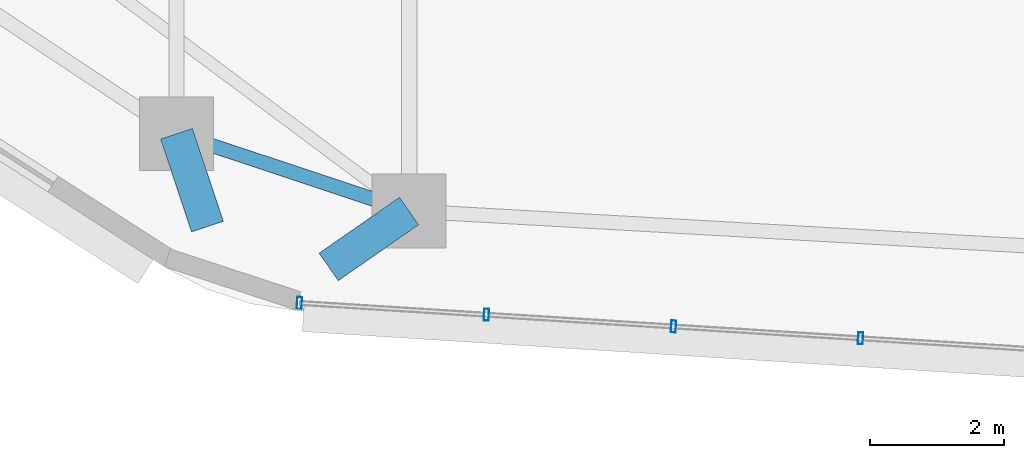
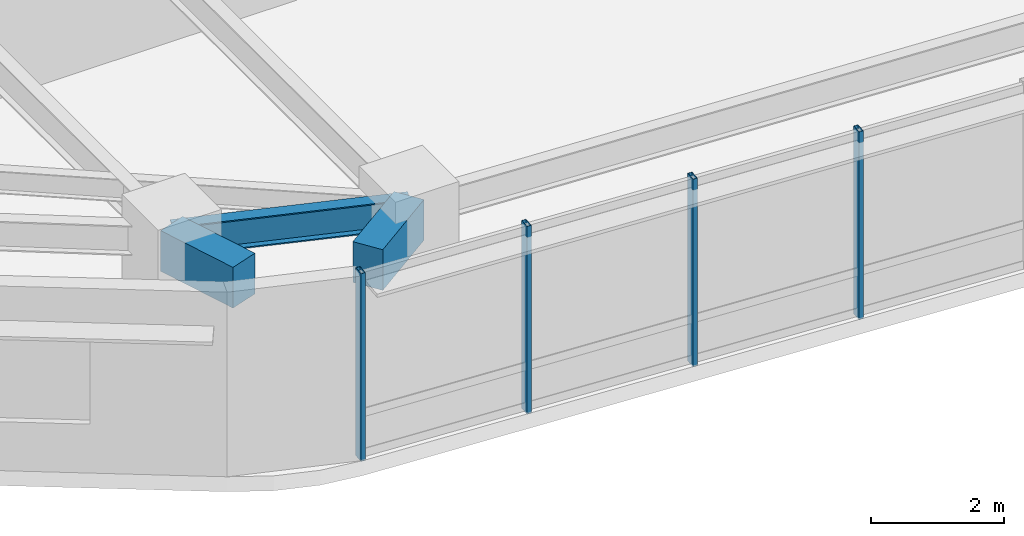
# One storey, part 2 of 12: 4 members, 3 beams, 1 element without a shape of its own.
"""IFC4 building model written with IfcOpenShell, lengths in metres."""

import ifcopenshell
import ifcopenshell.guid

model = None  # the IFC model being written
_history = None  # IfcOwnerHistory: only IFC2X3 demands one
_inside = {}  # id of a spatial element -> (the spatial element, [elements in it])
_under = {}  # id of a project, library or spatial element -> (it, [spatial elements below it])
_declared = {}  # id of a project -> (the project, [libraries it declares])
_typed = {}  # id of a type object -> (the type object, [elements of that type])
_made_of = {}  # id of a material, layer set ... -> (it, [elements and type objects made of it])


def new_model(schema):
    """Start an empty IFC model of exactly this schema.

    Asked for "IFC4X3", IfcOpenShell would pick the latest addendum, in which some entities
    have other attributes; the version numbers below select the first issue.
    IFC2X3 requires an IfcOwnerHistory on every rooted entity: one is made here for all.
    """
    global model, _history
    if schema == "IFC4X3":
        model = ifcopenshell.file(schema_version=(4, 3, 0, 0))
    else:
        model = ifcopenshell.file(schema=schema)
    _inside.clear()
    _under.clear()
    _declared.clear()
    _typed.clear()
    _made_of.clear()
    _history = None
    if model.schema == "IFC2X3":
        org = make("IfcOrganization", Name="unknown")
        user = make(
            "IfcPersonAndOrganization",
            ThePerson=make("IfcPerson", FamilyName="unknown"),
            TheOrganization=org,
        )
        app = make(
            "IfcApplication",
            ApplicationDeveloper=org,
            Version="unknown",
            ApplicationFullName="unknown",
            ApplicationIdentifier="unknown",
        )
        _history = make(
            "IfcOwnerHistory",
            OwningUser=user,
            OwningApplication=app,
            ChangeAction="ADDED",
            CreationDate=0,
        )
    return model


def make(cls, **values):
    """One entity of the class cls with the attributes given. An attribute that is None is left unset."""
    return model.create_entity(
        cls, **{name: value for name, value in values.items() if value is not None}
    )


def rooted(cls, **values):
    """An entity with a GlobalId (a new one), such as an element, a storey or a relation."""
    return make(cls, GlobalId=ifcopenshell.guid.new(), OwnerHistory=_history, **values)


def si_unit(unit_type, name, prefix=None):
    """IfcSIUnit, for example si_unit("LENGTHUNIT", "METRE", prefix="MILLI")."""
    return make("IfcSIUnit", UnitType=unit_type, Prefix=prefix, Name=name)


def assignment(units):
    """IfcUnitAssignment: the units of a project."""
    return None if units is None else make("IfcUnitAssignment", Units=units)


def point(xyz):
    """IfcCartesianPoint."""
    return None if xyz is None else make("IfcCartesianPoint", Coordinates=xyz)


def direction(xyz):
    """IfcDirection."""
    return None if xyz is None else make("IfcDirection", DirectionRatios=xyz)


def frame(location, z_axis=None, x_axis=None):
    """IfcAxis2Placement3D, a coordinate frame: its origin and axes. An axis left out is left unset."""
    return make(
        "IfcAxis2Placement3D",
        Location=point(location),
        Axis=direction(z_axis),
        RefDirection=direction(x_axis),
    )


def frame_2d(location, x_axis=None):
    """IfcAxis2Placement2D, a coordinate frame in the plane: its origin and x axis."""
    return make(
        "IfcAxis2Placement2D", Location=point(location), RefDirection=direction(x_axis)
    )


def origin():
    """The frame at (0, 0, 0) with its axes left unset."""
    return frame((0.0, 0.0, 0.0))


def origin_2d():
    """The frame at (0, 0) in the plane with its x axis left unset."""
    return frame_2d((0.0, 0.0))


def place(relative_to, where):
    """IfcLocalPlacement: puts the frame where relative to a parent placement (None: the world)."""
    return make(
        "IfcLocalPlacement", PlacementRelTo=relative_to, RelativePlacement=where
    )


def context(
    kind, dimensions, precision=None, world=None, true_north=None, identifier=None
):
    """IfcGeometricRepresentationContext, for example the 3D "Model" context."""
    return make(
        "IfcGeometricRepresentationContext",
        ContextIdentifier=identifier,
        ContextType=kind,
        CoordinateSpaceDimension=dimensions,
        Precision=precision,
        WorldCoordinateSystem=world,
        TrueNorth=true_north,
    )


def subcontext(parent, identifier, kind, view, scale=None):
    """IfcGeometricRepresentationSubContext, for example "Body" below "Model"."""
    return make(
        "IfcGeometricRepresentationSubContext",
        ContextIdentifier=identifier,
        ContextType=kind,
        ParentContext=parent,
        TargetScale=scale,
        TargetView=view,
    )


def project(units=None, contexts=None):
    """IfcProject with its units and contexts."""
    return rooted(
        "IfcProject",
        Name="project",
        RepresentationContexts=contexts,
        UnitsInContext=assignment(units),
    )


def spatial(cls, under=None, at=None, **own):
    """A site, building, storey or space (cls), placed at a placement, below another one or the project."""
    s = rooted(cls, ObjectPlacement=at, **own)
    if under is not None:
        _under.setdefault(under.id(), (under, []))[1].append(s)
    return s


def profile(cls, at=None, kind="AREA", **sizes):
    """A parametric profile (cls). Its sizes go by their IFC names, for example OverallWidth=200.0."""
    return make(cls, ProfileType=kind, Position=at, **sizes)


def rectangle(**sizes):
    """IfcRectangleProfileDef."""
    return profile("IfcRectangleProfileDef", **sizes)


def hollow_rectangle(**sizes):
    """IfcRectangleHollowProfileDef."""
    return profile("IfcRectangleHollowProfileDef", **sizes)


def i_section(**sizes):
    """IfcIShapeProfileDef."""
    return profile("IfcIShapeProfileDef", **sizes)


def extrude(swept, where, along, depth):
    """IfcExtrudedAreaSolid: the profile swept, set in the frame where, extruded along a direction by depth."""
    return make(
        "IfcExtrudedAreaSolid",
        SweptArea=swept,
        Position=where,
        ExtrudedDirection=direction(along),
        Depth=depth,
    )


def shape(context_of_items, identifier, shape_type, items):
    """IfcShapeRepresentation: the items that make up one representation, for example the "Body"."""
    return make(
        "IfcShapeRepresentation",
        ContextOfItems=context_of_items,
        RepresentationIdentifier=identifier,
        RepresentationType=shape_type,
        Items=items,
    )


def material(Name=None, Category=None):
    """IfcMaterial."""
    return make("IfcMaterial", Name=Name, Category=Category)


def material_profile(
    of_material, cross_section, Name=None, Category=None, Priority=None
):
    """IfcMaterialProfile: a cross section and its material."""
    return make(
        "IfcMaterialProfile",
        Name=Name,
        Material=of_material,
        Profile=cross_section,
        Priority=Priority,
        Category=Category,
    )


def profile_set(profiles, Name=None, composite=None):
    """IfcMaterialProfileSet."""
    return make(
        "IfcMaterialProfileSet",
        Name=Name,
        MaterialProfiles=profiles,
        CompositeProfile=composite,
    )


def made_of(thing, what):
    """Note that an element or type object is made of a material, layer set ...; save() writes the relation."""
    if what is not None:
        _made_of.setdefault(what.id(), (what, []))[1].append(thing)
    return thing


def type_object(cls, material=None, **own):
    """A type object (cls), such as IfcWallType, which elements share."""
    return made_of(rooted(cls, **own), material)


def element(
    cls,
    number,
    at=None,
    inside=None,
    cuts=None,
    type_object=None,
    material=None,
    context=None,
    identifier="Body",
    shape_type=None,
    held_by="IfcProductDefinitionShape",
    body=None,
    shapes=None,
    **own,
):
    """One element of the class cls, such as IfcWall. Its Tag is "e" and its number.

    at: its placement. inside: the storey or other place that contains it. cuts: it is an
    opening in that element (IfcRelVoidsElement). A single representation is given by context,
    identifier, shape_type and body (its items); several are given by shapes. held_by: the class
    of the entity that holds the representations. save() writes the other relations.
    """
    e = rooted(cls, Tag="e%d" % number, ObjectPlacement=at, **own)
    if body is not None:
        shapes = [shape(context, identifier, shape_type, body)]
    if shapes is not None:
        e.Representation = make(held_by, Representations=shapes)
    if inside is not None:
        _inside.setdefault(inside.id(), (inside, []))[1].append(e)
    if cuts is not None:
        rooted(
            "IfcRelVoidsElement", RelatingBuildingElement=cuts, RelatedOpeningElement=e
        )
    if type_object is not None:
        _typed.setdefault(type_object.id(), (type_object, []))[1].append(e)
    return made_of(e, material)


def aggregate(whole, parts):
    """IfcRelAggregates: a whole, such as a stair, and the parts it consists of."""
    return rooted("IfcRelAggregates", RelatingObject=whole, RelatedObjects=parts)


def save(model, path):
    """Write the relations noted so far, then the file.

    IfcRelAggregates (storeys below a building ...), IfcRelContainedInSpatialStructure (elements
    in a storey), IfcRelDefinesByType, IfcRelAssociatesMaterial and IfcRelDeclares: one each for
    every whole, place, type object, material and project.
    """
    for whole, parts in _under.values():
        aggregate(whole, parts)
    for where, things in _inside.values():
        rooted(
            "IfcRelContainedInSpatialStructure",
            RelatedElements=things,
            RelatingStructure=where,
        )
    for kind, things in _typed.values():
        rooted("IfcRelDefinesByType", RelatedObjects=things, RelatingType=kind)
    for what, things in _made_of.values():
        rooted("IfcRelAssociatesMaterial", RelatedObjects=things, RelatingMaterial=what)
    for by, libraries in _declared.values():
        rooted("IfcRelDeclares", RelatingContext=by, RelatedDefinitions=libraries)
    model.write(path)


model = new_model("IFC4")

# Units and contexts
model_context = context("Model", 3, precision=1e-05, world=origin(), true_north=direction((0.0, 1.0)))
body_context = subcontext(model_context, "Body", "Model", "MODEL_VIEW")
ifc_project = project(units=[si_unit("LENGTHUNIT", "METRE"), si_unit("AREAUNIT", "SQUARE_METRE"), si_unit("VOLUMEUNIT", "CUBIC_METRE"), si_unit("PLANEANGLEUNIT", "RADIAN"), si_unit("MASSUNIT", "GRAM", prefix="KILO")], contexts=[model_context])

# Site, building, storey
site_placement = place(None, origin())
site = spatial("IfcSite", under=ifc_project, at=site_placement, CompositionType="ELEMENT")
building_placement = place(site_placement, origin())
building = spatial("IfcBuilding", under=site, at=building_placement, Name="Zulverin Broadcast Headquarters", CompositionType="ELEMENT")
storey_placement = place(building_placement, frame((0.0, 0.0, 116.199951171875)))
storey = spatial("IfcBuildingStorey", under=building, at=storey_placement, Name="L29", CompositionType="ELEMENT", Elevation=116.199951171875)

# Beams
ifc_material_1 = material(Name="Concrete C40/50", Category="concrete")
ifc_material_profile_1 = material_profile(ifc_material_1, rectangle(XDim=0.5, YDim=0.75, at=origin_2d()), Name="Concrete C40/50", Category="concrete")
ifc_profile_set_1 = profile_set([ifc_material_profile_1], Name="Concrete C40/50")
beam_type_1 = type_object("IfcBeamType", Name="BM-RC-500x750", PredefinedType="BEAM", material=ifc_profile_set_1)
for number, where, z_axis, x_axis, name in (
    (1, (29.79638671875, 3.922119140625, 3.025146484375), (-0.821010818638, -0.570912634016, 0.0), (0.570912634016, -0.821010818638, 0.0), "L30 Plate Overhang Back-Spanned Beam OVR-01"),
    (2, (26.3251953125, 5.075927734375, 3.025146484375), (0.315776382302, -0.948833639992, 0.0), (0.948833639992, 0.315776382302, 0.0), "L30 Plate Overhang Back-Spanned Beam OVR-16"),
):
    element("IfcBeam", number, at=place(storey_placement, frame(where, z_axis=z_axis, x_axis=x_axis)), inside=storey, type_object=beam_type_1, Name=name, PredefinedType="BEAM", context=body_context, shape_type="SweptSolid", body=[
        extrude(rectangle(XDim=0.5, YDim=0.75, at=origin_2d()), origin(), (0.0, 0.0, 1.0), 1.46044921875),
    ])
ifc_material_2 = material(Name="Structural steel S355JR", Category="steel")
ifc_material_profile_2 = material_profile(ifc_material_2, i_section(OverallWidth=0.2119140625, OverallDepth=0.54443359375, WebThickness=0.0126953125, FlangeThickness=0.021240234375, at=origin_2d()), Name="Structural steel S355JR", Category="steel")
ifc_profile_set_2 = profile_set([ifc_material_profile_2], Name="Structural steel S355JR")
beam_type_2 = type_object("IfcBeamType", Name="BM-UB-533", PredefinedType="SPANDREL", material=ifc_profile_set_2)
beam_placement = place(storey_placement, frame((26.3251953125, 5.075927734375, 3.127685546875), z_axis=(0.948949931395, -0.315426739047, 0.0), x_axis=(0.315426739047, 0.948949931395, 0.0)))
element("IfcBeam", 3, at=beam_placement, inside=storey, type_object=beam_type_2, Name="L29 Perimeter Spandrel Beam SP-16", PredefinedType="SPANDREL", context=body_context, shape_type="SweptSolid", body=[
    extrude(i_section(OverallWidth=0.2119140625, OverallDepth=0.54443359375, WebThickness=0.0126953125, FlangeThickness=0.021240234375, at=origin_2d()), origin(), (0.0, 0.0, 1.0), 3.657958984375),
])

# Curtain wall, members
ifc_material_3 = material(Name="Low-zone ribbon unitised curtain wall", Category="aluminium")
curtain_wall_type = type_object("IfcCurtainWallType", Name="CW-TWR-LOW", PredefinedType="USERDEFINED", material=ifc_material_3)
curtain_wall_placement = place(storey_placement, origin())
curtain_wall = element("IfcCurtainWall", 4, at=curtain_wall_placement, inside=storey, type_object=curtain_wall_type, Name="L29 Unitised Curtain Wall CW-L29-E1", ObjectType="UNITISED CURTAIN WALL", PredefinedType="USERDEFINED")
ifc_material_4 = material(Name="Anodized pale-metal aluminium alloy 6063-T6", Category="aluminium")
ifc_material_profile_3 = material_profile(ifc_material_4, hollow_rectangle(XDim=0.074951171875, YDim=0.179931640625, WallThickness=0.0048828125, at=origin_2d()), Name="Anodized pale-metal aluminium alloy 6063-T6", Category="aluminium")
ifc_profile_set_3 = profile_set([ifc_material_profile_3], Name="Anodized pale-metal aluminium alloy 6063-T6")
member_type = type_object("IfcMemberType", Name="CW-MUL-180", PredefinedType="MULLION", material=ifc_profile_set_3)
member_1_placement = place(storey_placement, frame((28.16015625, 2.55126953125, -0.030029296875), z_axis=(0.0, 0.0, 1.0), x_axis=(0.998017182581, -0.062942062821, 0.0)))
member_1 = element("IfcMember", 5, at=member_1_placement, type_object=member_type, Name="CW-L29-E1 Mullion 00", PredefinedType="MULLION", context=body_context, shape_type="SweptSolid", body=[
    extrude(hollow_rectangle(XDim=0.074951171875, YDim=0.179931640625, WallThickness=0.0048828125, at=origin_2d()), origin(), (0.0, 0.0, 1.0), 3.4599609375),
])
member_2_placement = place(storey_placement, frame((30.951171875, 2.375, -0.030029296875), z_axis=(0.0, 0.0, 1.0), x_axis=(0.998017182581, -0.062942062821, 0.0)))
member_2 = element("IfcMember", 6, at=member_2_placement, type_object=member_type, Name="CW-L29-E1 Mullion 01", PredefinedType="MULLION", context=body_context, shape_type="SweptSolid", body=[
    extrude(hollow_rectangle(XDim=0.074951171875, YDim=0.179931640625, WallThickness=0.0048828125, at=origin_2d()), origin(), (0.0, 0.0, 1.0), 3.4599609375),
])
member_3_placement = place(storey_placement, frame((33.742431640625, 2.19921875, -0.030029296875), z_axis=(0.0, 0.0, 1.0), x_axis=(0.998017182581, -0.062942062821, 0.0)))
member_3 = element("IfcMember", 7, at=member_3_placement, type_object=member_type, Name="CW-L29-E1 Mullion 02", PredefinedType="MULLION", context=body_context, shape_type="SweptSolid", body=[
    extrude(hollow_rectangle(XDim=0.074951171875, YDim=0.179931640625, WallThickness=0.0048828125, at=origin_2d()), origin(), (0.0, 0.0, 1.0), 3.4599609375),
])
member_4_placement = place(storey_placement, frame((36.533447265625, 2.023193359375, -0.030029296875), z_axis=(0.0, 0.0, 1.0), x_axis=(0.998017182581, -0.062942062821, 0.0)))
member_4 = element("IfcMember", 8, at=member_4_placement, type_object=member_type, Name="CW-L29-E1 Mullion 03", PredefinedType="MULLION", context=body_context, shape_type="SweptSolid", body=[
    extrude(hollow_rectangle(XDim=0.074951171875, YDim=0.179931640625, WallThickness=0.0048828125, at=origin_2d()), origin(), (0.0, 0.0, 1.0), 3.4599609375),
])
aggregate(curtain_wall, [member_1, member_2, member_3, member_4])

save(model, "model.ifc")
